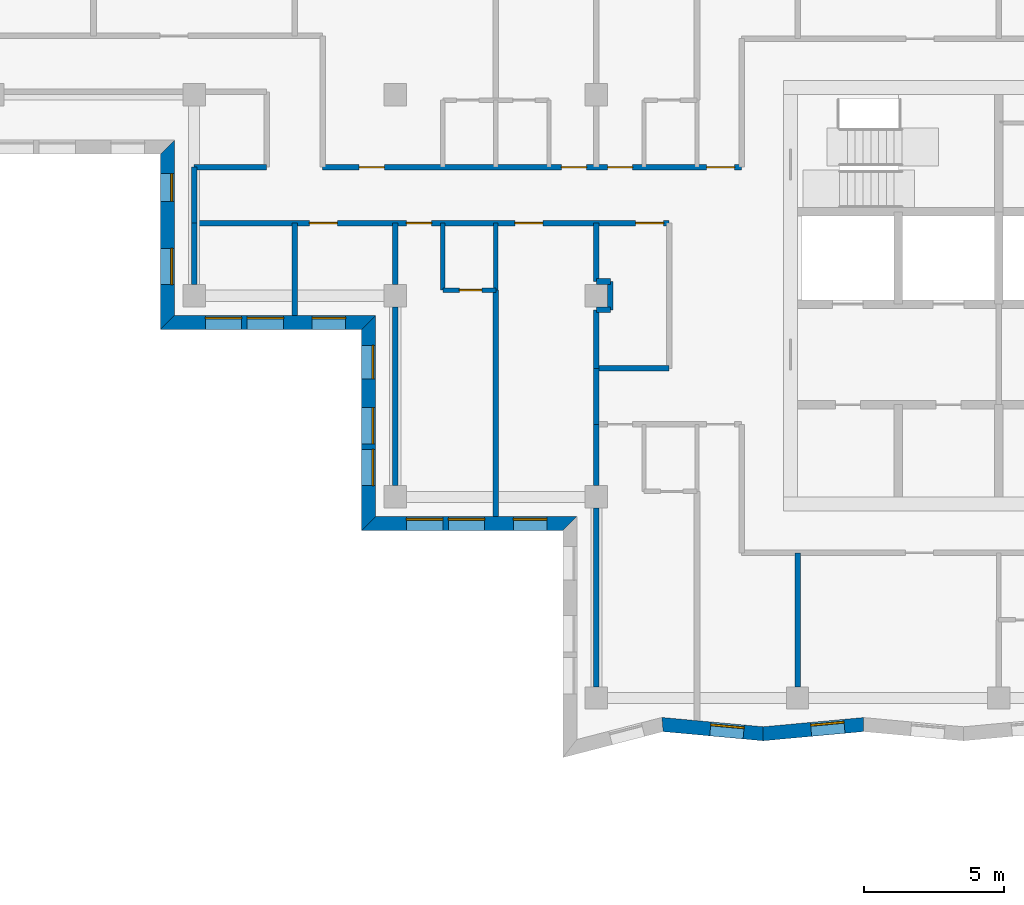
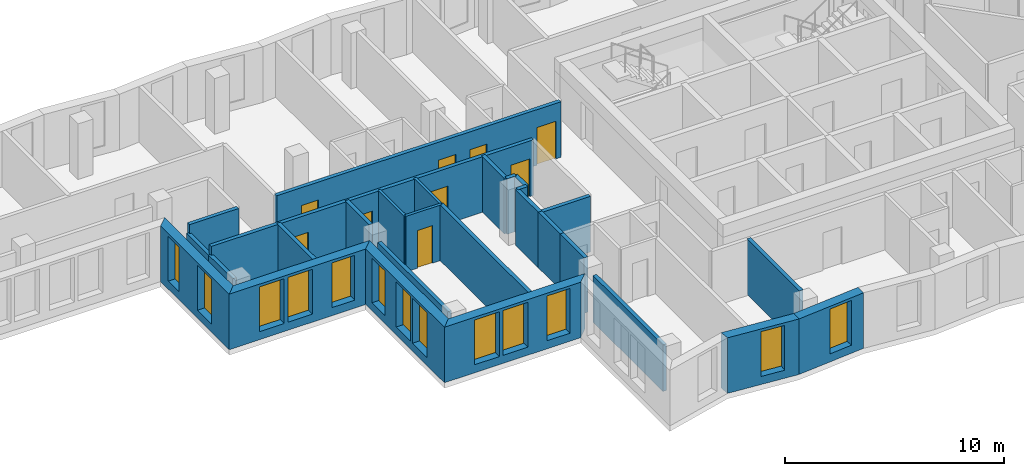
# One storey, part 2 of 11: 28 walls, 13 windows, 9 doors, 22 openings.
"""IFC4 building model written with IfcOpenShell, lengths in metres."""

import ifcopenshell
import ifcopenshell.guid

model = None  # the IFC model being written
_history = None  # IfcOwnerHistory: only IFC2X3 demands one
_inside = {}  # id of a spatial element -> (the spatial element, [elements in it])
_under = {}  # id of a project, library or spatial element -> (it, [spatial elements below it])
_declared = {}  # id of a project -> (the project, [libraries it declares])
_typed = {}  # id of a type object -> (the type object, [elements of that type])
_made_of = {}  # id of a material, layer set ... -> (it, [elements and type objects made of it])


def new_model(schema):
    """Start an empty IFC model of exactly this schema.

    Asked for "IFC4X3", IfcOpenShell would pick the latest addendum, in which some entities
    have other attributes; the version numbers below select the first issue.
    IFC2X3 requires an IfcOwnerHistory on every rooted entity: one is made here for all.
    """
    global model, _history
    if schema == "IFC4X3":
        model = ifcopenshell.file(schema_version=(4, 3, 0, 0))
    else:
        model = ifcopenshell.file(schema=schema)
    _inside.clear()
    _under.clear()
    _declared.clear()
    _typed.clear()
    _made_of.clear()
    _history = None
    if model.schema == "IFC2X3":
        org = make("IfcOrganization", Name="unknown")
        user = make(
            "IfcPersonAndOrganization",
            ThePerson=make("IfcPerson", FamilyName="unknown"),
            TheOrganization=org,
        )
        app = make(
            "IfcApplication",
            ApplicationDeveloper=org,
            Version="unknown",
            ApplicationFullName="unknown",
            ApplicationIdentifier="unknown",
        )
        _history = make(
            "IfcOwnerHistory",
            OwningUser=user,
            OwningApplication=app,
            ChangeAction="ADDED",
            CreationDate=0,
        )
    return model


def make(cls, **values):
    """One entity of the class cls with the attributes given. An attribute that is None is left unset."""
    return model.create_entity(
        cls, **{name: value for name, value in values.items() if value is not None}
    )


def rooted(cls, **values):
    """An entity with a GlobalId (a new one), such as an element, a storey or a relation."""
    return make(cls, GlobalId=ifcopenshell.guid.new(), OwnerHistory=_history, **values)


def si_unit(unit_type, name, prefix=None):
    """IfcSIUnit, for example si_unit("LENGTHUNIT", "METRE", prefix="MILLI")."""
    return make("IfcSIUnit", UnitType=unit_type, Prefix=prefix, Name=name)


def assignment(units):
    """IfcUnitAssignment: the units of a project."""
    return None if units is None else make("IfcUnitAssignment", Units=units)


def point(xyz):
    """IfcCartesianPoint."""
    return None if xyz is None else make("IfcCartesianPoint", Coordinates=xyz)


def direction(xyz):
    """IfcDirection."""
    return None if xyz is None else make("IfcDirection", DirectionRatios=xyz)


def frame(location, z_axis=None, x_axis=None):
    """IfcAxis2Placement3D, a coordinate frame: its origin and axes. An axis left out is left unset."""
    return make(
        "IfcAxis2Placement3D",
        Location=point(location),
        Axis=direction(z_axis),
        RefDirection=direction(x_axis),
    )


def frame_2d(location, x_axis=None):
    """IfcAxis2Placement2D, a coordinate frame in the plane: its origin and x axis."""
    return make(
        "IfcAxis2Placement2D", Location=point(location), RefDirection=direction(x_axis)
    )


def origin():
    """The frame at (0, 0, 0) with its axes left unset."""
    return frame((0.0, 0.0, 0.0))


def place(relative_to, where):
    """IfcLocalPlacement: puts the frame where relative to a parent placement (None: the world)."""
    return make(
        "IfcLocalPlacement", PlacementRelTo=relative_to, RelativePlacement=where
    )


def context(
    kind, dimensions, precision=None, world=None, true_north=None, identifier=None
):
    """IfcGeometricRepresentationContext, for example the 3D "Model" context."""
    return make(
        "IfcGeometricRepresentationContext",
        ContextIdentifier=identifier,
        ContextType=kind,
        CoordinateSpaceDimension=dimensions,
        Precision=precision,
        WorldCoordinateSystem=world,
        TrueNorth=true_north,
    )


def subcontext(parent, identifier, kind, view, scale=None):
    """IfcGeometricRepresentationSubContext, for example "Body" below "Model"."""
    return make(
        "IfcGeometricRepresentationSubContext",
        ContextIdentifier=identifier,
        ContextType=kind,
        ParentContext=parent,
        TargetScale=scale,
        TargetView=view,
    )


def project(units=None, contexts=None):
    """IfcProject with its units and contexts."""
    return rooted(
        "IfcProject",
        Name="project",
        RepresentationContexts=contexts,
        UnitsInContext=assignment(units),
    )


def spatial(cls, under=None, at=None, **own):
    """A site, building, storey or space (cls), placed at a placement, below another one or the project."""
    s = rooted(cls, ObjectPlacement=at, **own)
    if under is not None:
        _under.setdefault(under.id(), (under, []))[1].append(s)
    return s


def polyline(points):
    """IfcPolyline through the points."""
    return make("IfcPolyline", Points=[point(p) for p in points])


def profile(cls, at=None, kind="AREA", **sizes):
    """A parametric profile (cls). Its sizes go by their IFC names, for example OverallWidth=200.0."""
    return make(cls, ProfileType=kind, Position=at, **sizes)


def rectangle(**sizes):
    """IfcRectangleProfileDef."""
    return profile("IfcRectangleProfileDef", **sizes)


def outline(outer, holes=None, kind="AREA"):
    """IfcArbitraryClosedProfileDef: a profile drawn as a closed curve; with holes, ...WithVoids."""
    if holes is None:
        return make("IfcArbitraryClosedProfileDef", ProfileType=kind, OuterCurve=outer)
    return make(
        "IfcArbitraryProfileDefWithVoids",
        ProfileType=kind,
        OuterCurve=outer,
        InnerCurves=holes,
    )


def extrude(swept, where, along, depth):
    """IfcExtrudedAreaSolid: the profile swept, set in the frame where, extruded along a direction by depth."""
    return make(
        "IfcExtrudedAreaSolid",
        SweptArea=swept,
        Position=where,
        ExtrudedDirection=direction(along),
        Depth=depth,
    )


def shape(context_of_items, identifier, shape_type, items):
    """IfcShapeRepresentation: the items that make up one representation, for example the "Body"."""
    return make(
        "IfcShapeRepresentation",
        ContextOfItems=context_of_items,
        RepresentationIdentifier=identifier,
        RepresentationType=shape_type,
        Items=items,
    )


def material(Name=None, Category=None):
    """IfcMaterial."""
    return make("IfcMaterial", Name=Name, Category=Category)


def layer(
    of_material, thickness, ventilated=None, Name=None, Category=None, Priority=None
):
    """IfcMaterialLayer: one layer of a wall or slab, of a material (None: an air gap)."""
    return make(
        "IfcMaterialLayer",
        Material=of_material,
        LayerThickness=thickness,
        IsVentilated=ventilated,
        Name=Name,
        Category=Category,
        Priority=Priority,
    )


def layer_set(layers, Name=None):
    """IfcMaterialLayerSet."""
    return make("IfcMaterialLayerSet", MaterialLayers=layers, LayerSetName=Name)


def made_of(thing, what):
    """Note that an element or type object is made of a material, layer set ...; save() writes the relation."""
    if what is not None:
        _made_of.setdefault(what.id(), (what, []))[1].append(thing)
    return thing


def type_object(cls, material=None, **own):
    """A type object (cls), such as IfcWallType, which elements share."""
    return made_of(rooted(cls, **own), material)


def element(
    cls,
    number,
    at=None,
    inside=None,
    cuts=None,
    type_object=None,
    material=None,
    context=None,
    identifier="Body",
    shape_type=None,
    held_by="IfcProductDefinitionShape",
    body=None,
    shapes=None,
    **own,
):
    """One element of the class cls, such as IfcWall. Its Tag is "e" and its number.

    at: its placement. inside: the storey or other place that contains it. cuts: it is an
    opening in that element (IfcRelVoidsElement). A single representation is given by context,
    identifier, shape_type and body (its items); several are given by shapes. held_by: the class
    of the entity that holds the representations. save() writes the other relations.
    """
    e = rooted(cls, Tag="e%d" % number, ObjectPlacement=at, **own)
    if body is not None:
        shapes = [shape(context, identifier, shape_type, body)]
    if shapes is not None:
        e.Representation = make(held_by, Representations=shapes)
    if inside is not None:
        _inside.setdefault(inside.id(), (inside, []))[1].append(e)
    if cuts is not None:
        rooted(
            "IfcRelVoidsElement", RelatingBuildingElement=cuts, RelatedOpeningElement=e
        )
    if type_object is not None:
        _typed.setdefault(type_object.id(), (type_object, []))[1].append(e)
    return made_of(e, material)


def fill(opening, filler):
    """IfcRelFillsElement: the door or window that sits in an opening."""
    return rooted(
        "IfcRelFillsElement",
        RelatingOpeningElement=opening,
        RelatedBuildingElement=filler,
    )


def aggregate(whole, parts):
    """IfcRelAggregates: a whole, such as a stair, and the parts it consists of."""
    return rooted("IfcRelAggregates", RelatingObject=whole, RelatedObjects=parts)


def save(model, path):
    """Write the relations noted so far, then the file.

    IfcRelAggregates (storeys below a building ...), IfcRelContainedInSpatialStructure (elements
    in a storey), IfcRelDefinesByType, IfcRelAssociatesMaterial and IfcRelDeclares: one each for
    every whole, place, type object, material and project.
    """
    for whole, parts in _under.values():
        aggregate(whole, parts)
    for where, things in _inside.values():
        rooted(
            "IfcRelContainedInSpatialStructure",
            RelatedElements=things,
            RelatingStructure=where,
        )
    for kind, things in _typed.values():
        rooted("IfcRelDefinesByType", RelatedObjects=things, RelatingType=kind)
    for what, things in _made_of.values():
        rooted("IfcRelAssociatesMaterial", RelatedObjects=things, RelatingMaterial=what)
    for by, libraries in _declared.values():
        rooted("IfcRelDeclares", RelatingContext=by, RelatedDefinitions=libraries)
    model.write(path)


model = new_model("IFC4")

# Units and contexts
model_context = context("Model", 3, precision=1e-05, world=origin(), true_north=direction((0.0, 1.0)))
body_context = subcontext(model_context, "Body", "Model", "MODEL_VIEW")
ifc_project = project(units=[si_unit("LENGTHUNIT", "METRE"), si_unit("AREAUNIT", "SQUARE_METRE"), si_unit("VOLUMEUNIT", "CUBIC_METRE"), si_unit("PLANEANGLEUNIT", "RADIAN"), si_unit("MASSUNIT", "GRAM", prefix="KILO")], contexts=[model_context])

# Site, building, storey
site_placement = place(None, origin())
site = spatial("IfcSite", under=ifc_project, at=site_placement, CompositionType="ELEMENT")
building_placement = place(site_placement, origin())
building = spatial("IfcBuilding", under=site, at=building_placement, Name="Windrow Commons", CompositionType="ELEMENT")
storey_placement = place(building_placement, frame((0.0, 0.0, 193.0)))
storey = spatial("IfcBuildingStorey", under=building, at=storey_placement, Name="L52", CompositionType="ELEMENT", Elevation=193.0)

# Wall, openings, windows
ifc_material_1 = material(Name="Brick masonry, red clay brick", Category="masonry")
ifc_layer_1 = layer(ifc_material_1, 0.5)
ifc_layer_set_1 = layer_set([ifc_layer_1], Name="Brick facade wall 500")
wall_type_1 = type_object("IfcWallType", Name="Brick facade wall 500", PredefinedType="SOLIDWALL", material=ifc_layer_set_1)
wall_1_placement = place(storey_placement, frame((35.05, 62.92, 0.0), z_axis=(0.0, 0.0, 1.0), x_axis=(0.0, -1.0, 0.0)))
wall_1 = element("IfcWall", 1, at=wall_1_placement, inside=storey, type_object=wall_type_1, Name="Brick facade wall L52 35", PredefinedType="SOLIDWALL", context=body_context, shape_type="SweptSolid", body=[
    extrude(outline(polyline([(0.25, -0.25), (6.52, -0.25), (6.02, 0.25), (-0.25, 0.25), (0.25, -0.25)])), origin(), (0.0, 0.0, 1.0), 3.1),
])
opening_1_placement = place(wall_1_placement, frame((3.62, 0.0, 0.45)))
opening_1 = element("IfcOpeningElement", 2, at=opening_1_placement, cuts=wall_1, Name="Opening W1Q", PredefinedType="OPENING", context=body_context, shape_type="SweptSolid", body=[
    extrude(rectangle(XDim=1.3, YDim=2.5, at=frame_2d((0.65, 1.25))), frame((0.0, 0.26, 0.0), z_axis=(0.0, -1.0, 0.0), x_axis=(1.0, 0.0, 0.0)), (0.0, 0.0, 1.0), 0.52),
])
opening_2_placement = place(wall_1_placement, frame((0.945, 0.0, 0.45)))
opening_2 = element("IfcOpeningElement", 3, at=opening_2_placement, cuts=wall_1, Name="Opening W1S", PredefinedType="OPENING", context=body_context, shape_type="SweptSolid", body=[
    extrude(rectangle(XDim=1.0, YDim=2.5, at=frame_2d((0.5, 1.25))), frame((0.0, 0.26, 0.0), z_axis=(0.0, -1.0, 0.0), x_axis=(1.0, 0.0, 0.0)), (0.0, 0.0, 1.0), 0.52),
])
ifc_material_2 = material(Name="Clear float glass in anodised aluminium frame", Category="aluminium")
window_type_1 = type_object("IfcWindowType", Name="Window W1Q pair 1300x2500", PartitioningType="SINGLE_PANEL", PredefinedType="WINDOW", material=ifc_material_2)
window_1_placement = place(opening_1_placement, origin())
window_1 = element("IfcWindow", 4, at=window_1_placement, inside=storey, type_object=window_type_1, Name="Window L52 35.1B", OverallHeight=2.5, OverallWidth=1.3, PartitioningType="SINGLE_PANEL", PredefinedType="WINDOW", context=body_context, shape_type="SweptSolid", body=[
    extrude(rectangle(XDim=1.3, YDim=2.5, at=frame_2d((0.65, 1.25))), frame((0.0, 0.18, 0.0), z_axis=(0.0, -1.0, 0.0), x_axis=(1.0, 0.0, 0.0)), (0.0, 0.0, 1.0), 0.06),
])
fill(opening_1, window_1)
ifc_material_3 = material(Name="Clear float glass in anodised aluminium frame", Category="aluminium")
window_type_2 = type_object("IfcWindowType", Name="Window W1S slit 1000x2500", PartitioningType="SINGLE_PANEL", PredefinedType="WINDOW", material=ifc_material_3)
window_2_placement = place(opening_2_placement, origin())
window_2 = element("IfcWindow", 5, at=window_2_placement, inside=storey, type_object=window_type_2, Name="Window L52 35.2A", OverallHeight=2.5, OverallWidth=1.0, PartitioningType="SINGLE_PANEL", PredefinedType="WINDOW", context=body_context, shape_type="SweptSolid", body=[
    extrude(rectangle(XDim=1.0, YDim=2.5, at=frame_2d((0.5, 1.25))), frame((0.0, 0.18, 0.0), z_axis=(0.0, -1.0, 0.0), x_axis=(1.0, 0.0, 0.0)), (0.0, 0.0, 1.0), 0.06),
])
fill(opening_2, window_2)

wall_2_placement = place(storey_placement, frame((35.05, 56.65, 0.0), z_axis=(0.0, 0.0, 1.0), x_axis=(1.0, 0.0, 0.0)))
wall_2 = element("IfcWall", 6, at=wall_2_placement, inside=storey, type_object=wall_type_1, Name="Brick facade wall L52 36", PredefinedType="SOLIDWALL", context=body_context, shape_type="SweptSolid", body=[
    extrude(outline(polyline([(-0.25, -0.25), (6.95, -0.25), (7.45, 0.25), (0.25, 0.25), (-0.25, -0.25)])), origin(), (0.0, 0.0, 1.0), 3.1),
])
opening_3_placement = place(wall_2_placement, frame((1.35, 0.0, 0.45)))
opening_3 = element("IfcOpeningElement", 7, at=opening_3_placement, cuts=wall_2, Name="Opening W1Q", PredefinedType="OPENING", context=body_context, shape_type="SweptSolid", body=[
    extrude(rectangle(XDim=1.3, YDim=2.5, at=frame_2d((0.65, 1.25))), frame((0.0, 0.26, 0.0), z_axis=(0.0, -1.0, 0.0), x_axis=(1.0, 0.0, 0.0)), (0.0, 0.0, 1.0), 0.52),
])
opening_4_placement = place(wall_2_placement, frame((2.85, 0.0, 0.45)))
opening_4 = element("IfcOpeningElement", 8, at=opening_4_placement, cuts=wall_2, Name="Opening W1Q", PredefinedType="OPENING", context=body_context, shape_type="SweptSolid", body=[
    extrude(rectangle(XDim=1.3, YDim=2.5, at=frame_2d((0.65, 1.25))), frame((0.0, 0.26, 0.0), z_axis=(0.0, -1.0, 0.0), x_axis=(1.0, 0.0, 0.0)), (0.0, 0.0, 1.0), 0.52),
])
opening_5_placement = place(wall_2_placement, frame((5.175, 0.0, 0.45)))
opening_5 = element("IfcOpeningElement", 9, at=opening_5_placement, cuts=wall_2, Name="Opening W7E", PredefinedType="OPENING", context=body_context, shape_type="SweptSolid", body=[
    extrude(rectangle(XDim=1.2, YDim=2.5, at=frame_2d((0.6, 1.25))), frame((0.0, 0.26, 0.0), z_axis=(0.0, -1.0, 0.0), x_axis=(1.0, 0.0, 0.0)), (0.0, 0.0, 1.0), 0.52),
])
window_3_placement = place(opening_3_placement, origin())
window_3 = element("IfcWindow", 10, at=window_3_placement, inside=storey, type_object=window_type_1, Name="Window L52 36.1A", OverallHeight=2.5, OverallWidth=1.3, PartitioningType="SINGLE_PANEL", PredefinedType="WINDOW", context=body_context, shape_type="SweptSolid", body=[
    extrude(rectangle(XDim=1.3, YDim=2.5, at=frame_2d((0.65, 1.25))), frame((0.0, 0.18, 0.0), z_axis=(0.0, -1.0, 0.0), x_axis=(1.0, 0.0, 0.0)), (0.0, 0.0, 1.0), 0.06),
])
fill(opening_3, window_3)
window_4_placement = place(opening_4_placement, origin())
window_4 = element("IfcWindow", 11, at=window_4_placement, inside=storey, type_object=window_type_1, Name="Window L52 36.1B", OverallHeight=2.5, OverallWidth=1.3, PartitioningType="SINGLE_PANEL", PredefinedType="WINDOW", context=body_context, shape_type="SweptSolid", body=[
    extrude(rectangle(XDim=1.3, YDim=2.5, at=frame_2d((0.65, 1.25))), frame((0.0, 0.18, 0.0), z_axis=(0.0, -1.0, 0.0), x_axis=(1.0, 0.0, 0.0)), (0.0, 0.0, 1.0), 0.06),
])
fill(opening_4, window_4)
ifc_material_4 = material(Name="Clear float glass in anodised aluminium frame", Category="aluminium")
window_type_3 = type_object("IfcWindowType", Name="Window W7 notch 1200x2500", PartitioningType="SINGLE_PANEL", PredefinedType="WINDOW", material=ifc_material_4)
window_5_placement = place(opening_5_placement, origin())
window_5 = element("IfcWindow", 12, at=window_5_placement, inside=storey, type_object=window_type_3, Name="Window L52 36.2", OverallHeight=2.5, OverallWidth=1.2, PartitioningType="SINGLE_PANEL", PredefinedType="WINDOW", context=body_context, shape_type="SweptSolid", body=[
    extrude(rectangle(XDim=1.2, YDim=2.5, at=frame_2d((0.6, 1.25))), frame((0.0, 0.18, 0.0), z_axis=(0.0, -1.0, 0.0), x_axis=(1.0, 0.0, 0.0)), (0.0, 0.0, 1.0), 0.06),
])
fill(opening_5, window_5)

wall_3_placement = place(storey_placement, frame((42.25, 56.65, 0.0), z_axis=(0.0, 0.0, 1.0), x_axis=(0.0, -1.0, 0.0)))
wall_3 = element("IfcWall", 13, at=wall_3_placement, inside=storey, type_object=wall_type_1, Name="Brick facade wall L52 37", PredefinedType="SOLIDWALL", context=body_context, shape_type="SweptSolid", body=[
    extrude(outline(polyline([(0.25, -0.25), (7.45, -0.25), (6.95, 0.25), (-0.25, 0.25), (0.25, -0.25)])), origin(), (0.0, 0.0, 1.0), 3.1),
])
opening_6_placement = place(wall_3_placement, frame((3.05, 0.0, 0.45)))
opening_6 = element("IfcOpeningElement", 14, at=opening_6_placement, cuts=wall_3, Name="Opening W1Q", PredefinedType="OPENING", context=body_context, shape_type="SweptSolid", body=[
    extrude(rectangle(XDim=1.3, YDim=2.5, at=frame_2d((0.65, 1.25))), frame((0.0, 0.26, 0.0), z_axis=(0.0, -1.0, 0.0), x_axis=(1.0, 0.0, 0.0)), (0.0, 0.0, 1.0), 0.52),
])
opening_7_placement = place(wall_3_placement, frame((4.55, 0.0, 0.45)))
opening_7 = element("IfcOpeningElement", 15, at=opening_7_placement, cuts=wall_3, Name="Opening W1Q", PredefinedType="OPENING", context=body_context, shape_type="SweptSolid", body=[
    extrude(rectangle(XDim=1.3, YDim=2.5, at=frame_2d((0.65, 1.25))), frame((0.0, 0.26, 0.0), z_axis=(0.0, -1.0, 0.0), x_axis=(1.0, 0.0, 0.0)), (0.0, 0.0, 1.0), 0.52),
])
opening_8_placement = place(wall_3_placement, frame((0.825, 0.0, 0.45)))
opening_8 = element("IfcOpeningElement", 16, at=opening_8_placement, cuts=wall_3, Name="Opening W7E", PredefinedType="OPENING", context=body_context, shape_type="SweptSolid", body=[
    extrude(rectangle(XDim=1.2, YDim=2.5, at=frame_2d((0.6, 1.25))), frame((0.0, 0.26, 0.0), z_axis=(0.0, -1.0, 0.0), x_axis=(1.0, 0.0, 0.0)), (0.0, 0.0, 1.0), 0.52),
])
window_6_placement = place(opening_6_placement, origin())
window_6 = element("IfcWindow", 17, at=window_6_placement, inside=storey, type_object=window_type_1, Name="Window L52 37.1A", OverallHeight=2.5, OverallWidth=1.3, PartitioningType="SINGLE_PANEL", PredefinedType="WINDOW", context=body_context, shape_type="SweptSolid", body=[
    extrude(rectangle(XDim=1.3, YDim=2.5, at=frame_2d((0.65, 1.25))), frame((0.0, 0.18, 0.0), z_axis=(0.0, -1.0, 0.0), x_axis=(1.0, 0.0, 0.0)), (0.0, 0.0, 1.0), 0.06),
])
fill(opening_6, window_6)
window_7_placement = place(opening_7_placement, origin())
window_7 = element("IfcWindow", 18, at=window_7_placement, inside=storey, type_object=window_type_1, Name="Window L52 37.1B", OverallHeight=2.5, OverallWidth=1.3, PartitioningType="SINGLE_PANEL", PredefinedType="WINDOW", context=body_context, shape_type="SweptSolid", body=[
    extrude(rectangle(XDim=1.3, YDim=2.5, at=frame_2d((0.65, 1.25))), frame((0.0, 0.18, 0.0), z_axis=(0.0, -1.0, 0.0), x_axis=(1.0, 0.0, 0.0)), (0.0, 0.0, 1.0), 0.06),
])
fill(opening_7, window_7)
window_8_placement = place(opening_8_placement, origin())
window_8 = element("IfcWindow", 19, at=window_8_placement, inside=storey, type_object=window_type_3, Name="Window L52 37.2", OverallHeight=2.5, OverallWidth=1.2, PartitioningType="SINGLE_PANEL", PredefinedType="WINDOW", context=body_context, shape_type="SweptSolid", body=[
    extrude(rectangle(XDim=1.2, YDim=2.5, at=frame_2d((0.6, 1.25))), frame((0.0, 0.18, 0.0), z_axis=(0.0, -1.0, 0.0), x_axis=(1.0, 0.0, 0.0)), (0.0, 0.0, 1.0), 0.06),
])
fill(opening_8, window_8)

wall_4_placement = place(storey_placement, frame((42.25, 49.45, 0.0), z_axis=(0.0, 0.0, 1.0), x_axis=(1.0, 0.0, 0.0)))
wall_4 = element("IfcWall", 20, at=wall_4_placement, inside=storey, type_object=wall_type_1, Name="Brick facade wall L52 38", PredefinedType="SOLIDWALL", context=body_context, shape_type="SweptSolid", body=[
    extrude(outline(polyline([(-0.25, -0.25), (6.95, -0.25), (7.45, 0.25), (0.25, 0.25), (-0.25, -0.25)])), origin(), (0.0, 0.0, 1.0), 3.1),
])
opening_9_placement = place(wall_4_placement, frame((1.35, 0.0, 0.45)))
opening_9 = element("IfcOpeningElement", 21, at=opening_9_placement, cuts=wall_4, Name="Opening W1Q", PredefinedType="OPENING", context=body_context, shape_type="SweptSolid", body=[
    extrude(rectangle(XDim=1.3, YDim=2.5, at=frame_2d((0.65, 1.25))), frame((0.0, 0.26, 0.0), z_axis=(0.0, -1.0, 0.0), x_axis=(1.0, 0.0, 0.0)), (0.0, 0.0, 1.0), 0.52),
])
opening_10_placement = place(wall_4_placement, frame((2.85, 0.0, 0.45)))
opening_10 = element("IfcOpeningElement", 22, at=opening_10_placement, cuts=wall_4, Name="Opening W1Q", PredefinedType="OPENING", context=body_context, shape_type="SweptSolid", body=[
    extrude(rectangle(XDim=1.3, YDim=2.5, at=frame_2d((0.65, 1.25))), frame((0.0, 0.26, 0.0), z_axis=(0.0, -1.0, 0.0), x_axis=(1.0, 0.0, 0.0)), (0.0, 0.0, 1.0), 0.52),
])
opening_11_placement = place(wall_4_placement, frame((5.175, 0.0, 0.45)))
opening_11 = element("IfcOpeningElement", 23, at=opening_11_placement, cuts=wall_4, Name="Opening W7E", PredefinedType="OPENING", context=body_context, shape_type="SweptSolid", body=[
    extrude(rectangle(XDim=1.2, YDim=2.5, at=frame_2d((0.6, 1.25))), frame((0.0, 0.26, 0.0), z_axis=(0.0, -1.0, 0.0), x_axis=(1.0, 0.0, 0.0)), (0.0, 0.0, 1.0), 0.52),
])
window_9_placement = place(opening_9_placement, origin())
window_9 = element("IfcWindow", 24, at=window_9_placement, inside=storey, type_object=window_type_1, Name="Window L52 38.1A", OverallHeight=2.5, OverallWidth=1.3, PartitioningType="SINGLE_PANEL", PredefinedType="WINDOW", context=body_context, shape_type="SweptSolid", body=[
    extrude(rectangle(XDim=1.3, YDim=2.5, at=frame_2d((0.65, 1.25))), frame((0.0, 0.18, 0.0), z_axis=(0.0, -1.0, 0.0), x_axis=(1.0, 0.0, 0.0)), (0.0, 0.0, 1.0), 0.06),
])
fill(opening_9, window_9)
window_10_placement = place(opening_10_placement, origin())
window_10 = element("IfcWindow", 25, at=window_10_placement, inside=storey, type_object=window_type_1, Name="Window L52 38.1B", OverallHeight=2.5, OverallWidth=1.3, PartitioningType="SINGLE_PANEL", PredefinedType="WINDOW", context=body_context, shape_type="SweptSolid", body=[
    extrude(rectangle(XDim=1.3, YDim=2.5, at=frame_2d((0.65, 1.25))), frame((0.0, 0.18, 0.0), z_axis=(0.0, -1.0, 0.0), x_axis=(1.0, 0.0, 0.0)), (0.0, 0.0, 1.0), 0.06),
])
fill(opening_10, window_10)
window_11_placement = place(opening_11_placement, origin())
window_11 = element("IfcWindow", 26, at=window_11_placement, inside=storey, type_object=window_type_3, Name="Window L52 38.2", OverallHeight=2.5, OverallWidth=1.2, PartitioningType="SINGLE_PANEL", PredefinedType="WINDOW", context=body_context, shape_type="SweptSolid", body=[
    extrude(rectangle(XDim=1.2, YDim=2.5, at=frame_2d((0.6, 1.25))), frame((0.0, 0.18, 0.0), z_axis=(0.0, -1.0, 0.0), x_axis=(1.0, 0.0, 0.0)), (0.0, 0.0, 1.0), 0.06),
])
fill(opening_11, window_11)

# Wall, opening, window
wall_5_placement = place(storey_placement, frame((52.7652, 42.2529, 0.0), z_axis=(0.0, 0.0, 1.0), x_axis=(0.9957941627, -0.0916186959, 0.0)))
wall_5 = element("IfcWall", 27, at=wall_5_placement, inside=storey, type_object=wall_type_1, Name="Brick facade wall L52 41", PredefinedType="SOLIDWALL", context=body_context, shape_type="SweptSolid", body=[
    extrude(outline(polyline([(0.0436, -0.25), (3.6445, -0.25), (3.5985, 0.25), (-0.0436, 0.25), (0.0436, -0.25)])), origin(), (0.0, 0.0, 1.0), 3.1),
])
opening_12_placement = place(wall_5_placement, frame((1.7193, 0.0, 0.45)))
opening_12 = element("IfcOpeningElement", 28, at=opening_12_placement, cuts=wall_5, Name="Opening W7E", PredefinedType="OPENING", context=body_context, shape_type="SweptSolid", body=[
    extrude(rectangle(XDim=1.2, YDim=2.5, at=frame_2d((0.6, 1.25))), frame((0.0, 0.26, 0.0), z_axis=(0.0, -1.0, 0.0), x_axis=(1.0, 0.0, 0.0)), (0.0, 0.0, 1.0), 0.52),
])
window_12_placement = place(opening_12_placement, origin())
window_12 = element("IfcWindow", 29, at=window_12_placement, inside=storey, type_object=window_type_3, Name="Window L52 41.1", OverallHeight=2.5, OverallWidth=1.2, PartitioningType="SINGLE_PANEL", PredefinedType="WINDOW", context=body_context, shape_type="SweptSolid", body=[
    extrude(rectangle(XDim=1.2, YDim=2.5, at=frame_2d((0.6, 1.25))), frame((0.0, 0.18, 0.0), z_axis=(0.0, -1.0, 0.0), x_axis=(1.0, 0.0, 0.0)), (0.0, 0.0, 1.0), 0.06),
])
fill(opening_12, window_12)

wall_6_placement = place(storey_placement, frame((56.3715, 41.9211, 0.0), z_axis=(0.0, 0.0, 1.0), x_axis=(0.9957917474, 0.0916449443, 0.0)))
wall_6 = element("IfcWall", 30, at=wall_6_placement, inside=storey, type_object=wall_type_1, Name="Brick facade wall L52 42", PredefinedType="SOLIDWALL", context=body_context, shape_type="SweptSolid", body=[
    extrude(outline(polyline([(-0.023, -0.25), (3.5779, -0.25), (3.6239, 0.25), (0.023, 0.25), (-0.023, -0.25)])), origin(), (0.0, 0.0, 1.0), 3.1),
])
opening_13_placement = place(wall_6_placement, frame((1.7173, 0.0, 0.45)))
opening_13 = element("IfcOpeningElement", 31, at=opening_13_placement, cuts=wall_6, Name="Opening W7E", PredefinedType="OPENING", context=body_context, shape_type="SweptSolid", body=[
    extrude(rectangle(XDim=1.2, YDim=2.5, at=frame_2d((0.6, 1.25))), frame((0.0, 0.26, 0.0), z_axis=(0.0, -1.0, 0.0), x_axis=(1.0, 0.0, 0.0)), (0.0, 0.0, 1.0), 0.52),
])
window_13_placement = place(opening_13_placement, origin())
window_13 = element("IfcWindow", 32, at=window_13_placement, inside=storey, type_object=window_type_3, Name="Window L52 42.1", OverallHeight=2.5, OverallWidth=1.2, PartitioningType="SINGLE_PANEL", PredefinedType="WINDOW", context=body_context, shape_type="SweptSolid", body=[
    extrude(rectangle(XDim=1.2, YDim=2.5, at=frame_2d((0.6, 1.25))), frame((0.0, 0.18, 0.0), z_axis=(0.0, -1.0, 0.0), x_axis=(1.0, 0.0, 0.0)), (0.0, 0.0, 1.0), 0.06),
])
fill(opening_13, window_13)

# Wall, openings, doors
ifc_material_5 = material(Name="Blockwork partition", Category="masonry")
ifc_layer_2 = layer(ifc_material_5, 0.2)
ifc_layer_set_2 = layer_set([ifc_layer_2], Name="IW-CORRIDOR-200")
wall_type_2 = type_object("IfcWallType", Name="IW-CORRIDOR-200", PredefinedType="PARTITIONING", material=ifc_layer_set_2)
wall_7_placement = place(storey_placement, frame((36.0, 60.2, 0.0), z_axis=(0.0, 0.0, 1.0), x_axis=(1.0, 0.0, 0.0)))
wall_7 = element("IfcWall", 33, at=wall_7_placement, inside=storey, type_object=wall_type_2, Name="W-L52-W003", PredefinedType="PARTITIONING", context=body_context, shape_type="SweptSolid", body=[
    extrude(rectangle(XDim=17.0, YDim=0.2, at=frame_2d((8.5, 0.0))), origin(), (0.0, 0.0, 1.0), 3.1),
])
opening_14_placement = place(wall_7_placement, frame((4.125, 0.0, 0.0)))
opening_14 = element("IfcOpeningElement", 34, at=opening_14_placement, cuts=wall_7, Name="Opening D310F", PredefinedType="OPENING", context=body_context, shape_type="SweptSolid", body=[
    extrude(rectangle(XDim=1.0, YDim=2.1, at=frame_2d((0.5, 1.05))), frame((0.0, 0.11, 0.0), z_axis=(0.0, -1.0, 0.0), x_axis=(1.0, 0.0, 0.0)), (0.0, 0.0, 1.0), 0.22),
])
opening_15_placement = place(wall_7_placement, frame((7.6, 0.0, 0.0)))
opening_15 = element("IfcOpeningElement", 35, at=opening_15_placement, cuts=wall_7, Name="Opening D109S", PredefinedType="OPENING", context=body_context, shape_type="SweptSolid", body=[
    extrude(rectangle(XDim=0.9, YDim=2.1, at=frame_2d((0.45, 1.05))), frame((0.0, 0.11, 0.0), z_axis=(0.0, -1.0, 0.0), x_axis=(1.0, 0.0, 0.0)), (0.0, 0.0, 1.0), 0.22),
])
opening_16_placement = place(wall_7_placement, frame((11.48, 0.0, 0.0)))
opening_16 = element("IfcOpeningElement", 36, at=opening_16_placement, cuts=wall_7, Name="Opening D310F", PredefinedType="OPENING", context=body_context, shape_type="SweptSolid", body=[
    extrude(rectangle(XDim=1.0, YDim=2.1, at=frame_2d((0.5, 1.05))), frame((0.0, 0.11, 0.0), z_axis=(0.0, -1.0, 0.0), x_axis=(1.0, 0.0, 0.0)), (0.0, 0.0, 1.0), 0.22),
])
opening_17_placement = place(wall_7_placement, frame((15.805, 0.0, 0.0)))
opening_17 = element("IfcOpeningElement", 37, at=opening_17_placement, cuts=wall_7, Name="Opening D410F", PredefinedType="OPENING", context=body_context, shape_type="SweptSolid", body=[
    extrude(rectangle(XDim=1.0, YDim=2.1, at=frame_2d((0.5, 1.05))), frame((0.0, 0.11, 0.0), z_axis=(0.0, -1.0, 0.0), x_axis=(1.0, 0.0, 0.0)), (0.0, 0.0, 1.0), 0.22),
])
ifc_material_6 = material(Name="Timber door leaf", Category="wood")
door_type_1 = type_object("IfcDoorType", Name="DT-AMENITY-1000", OperationType="SINGLE_SWING_LEFT", PredefinedType="DOOR", material=ifc_material_6)
door_1_placement = place(opening_14_placement, origin())
door_1 = element("IfcDoor", 38, at=door_1_placement, inside=storey, type_object=door_type_1, Name="D-L52-D007", OperationType="SINGLE_SWING_RIGHT", OverallHeight=2.1, OverallWidth=1.0, PredefinedType="DOOR", context=body_context, shape_type="SweptSolid", body=[
    extrude(rectangle(XDim=1.0, YDim=2.1, at=frame_2d((0.5, 1.05))), frame((0.0, 0.025, 0.0), z_axis=(0.0, -1.0, 0.0), x_axis=(1.0, 0.0, 0.0)), (0.0, 0.0, 1.0), 0.05),
])
fill(opening_14, door_1)
door_2_placement = place(opening_16_placement, origin())
door_2 = element("IfcDoor", 39, at=door_2_placement, inside=storey, type_object=door_type_1, Name="D-L52-D020", OperationType="SINGLE_SWING_RIGHT", OverallHeight=2.1, OverallWidth=1.0, PredefinedType="DOOR", context=body_context, shape_type="SweptSolid", body=[
    extrude(rectangle(XDim=1.0, YDim=2.1, at=frame_2d((0.5, 1.05))), frame((0.0, 0.025, 0.0), z_axis=(0.0, -1.0, 0.0), x_axis=(1.0, 0.0, 0.0)), (0.0, 0.0, 1.0), 0.05),
])
fill(opening_16, door_2)
ifc_material_7 = material(Name="Timber door leaf", Category="wood")
door_type_2 = type_object("IfcDoorType", Name="DT-BEDROOM-900", OperationType="SINGLE_SWING_LEFT", PredefinedType="DOOR", material=ifc_material_7)
door_3_placement = place(opening_15_placement, origin())
door_3 = element("IfcDoor", 40, at=door_3_placement, inside=storey, type_object=door_type_2, Name="D-L52-D008", OperationType="SINGLE_SWING_LEFT", OverallHeight=2.1, OverallWidth=0.9, PredefinedType="DOOR", context=body_context, shape_type="SweptSolid", body=[
    extrude(rectangle(XDim=0.9, YDim=2.1, at=frame_2d((0.45, 1.05))), frame((0.0, 0.025, 0.0), z_axis=(0.0, -1.0, 0.0), x_axis=(1.0, 0.0, 0.0)), (0.0, 0.0, 1.0), 0.05),
])
fill(opening_15, door_3)
ifc_material_8 = material(Name="Timber door leaf", Category="wood")
door_type_3 = type_object("IfcDoorType", Name="DT-SERVICE-1000", OperationType="SINGLE_SWING_LEFT", PredefinedType="DOOR", material=ifc_material_8)
door_4_placement = place(opening_17_placement, origin())
door_4 = element("IfcDoor", 41, at=door_4_placement, inside=storey, type_object=door_type_3, Name="D-L52-D021", OperationType="SINGLE_SWING_LEFT", OverallHeight=2.1, OverallWidth=1.0, PredefinedType="DOOR", context=body_context, shape_type="SweptSolid", body=[
    extrude(rectangle(XDim=1.0, YDim=2.1, at=frame_2d((0.5, 1.05))), frame((0.0, 0.025, 0.0), z_axis=(0.0, -1.0, 0.0), x_axis=(1.0, 0.0, 0.0)), (0.0, 0.0, 1.0), 0.05),
])
fill(opening_17, door_4)

wall_8_placement = place(storey_placement, frame((40.602, 62.2, 0.0), z_axis=(0.0, 0.0, 1.0), x_axis=(1.0, 0.0, 0.0)))
wall_8 = element("IfcWall", 42, at=wall_8_placement, inside=storey, type_object=wall_type_2, Name="W-L52-W004", PredefinedType="PARTITIONING", context=body_context, shape_type="SweptSolid", body=[
    extrude(rectangle(XDim=14.998, YDim=0.2, at=frame_2d((7.499, 0.0))), origin(), (0.0, 0.0, 1.0), 3.1),
])
opening_18_placement = place(wall_8_placement, frame((1.3056, 0.0, 0.0)))
opening_18 = element("IfcOpeningElement", 43, at=opening_18_placement, cuts=wall_8, Name="Opening D109F", PredefinedType="OPENING", context=body_context, shape_type="SweptSolid", body=[
    extrude(rectangle(XDim=0.9, YDim=2.1, at=frame_2d((0.45, 1.05))), frame((0.0, 0.11, 0.0), z_axis=(0.0, -1.0, 0.0), x_axis=(1.0, 0.0, 0.0)), (0.0, 0.0, 1.0), 0.22),
])
opening_19_placement = place(wall_8_placement, frame((8.548, 0.0, 0.0)))
opening_19 = element("IfcOpeningElement", 44, at=opening_19_placement, cuts=wall_8, Name="Opening D109S", PredefinedType="OPENING", context=body_context, shape_type="SweptSolid", body=[
    extrude(rectangle(XDim=0.9, YDim=2.1, at=frame_2d((0.45, 1.05))), frame((0.0, 0.11, 0.0), z_axis=(0.0, -1.0, 0.0), x_axis=(1.0, 0.0, 0.0)), (0.0, 0.0, 1.0), 0.22),
])
opening_20_placement = place(wall_8_placement, frame((10.198, 0.0, 0.0)))
opening_20 = element("IfcOpeningElement", 45, at=opening_20_placement, cuts=wall_8, Name="Opening D109S", PredefinedType="OPENING", context=body_context, shape_type="SweptSolid", body=[
    extrude(rectangle(XDim=0.9, YDim=2.1, at=frame_2d((0.45, 1.05))), frame((0.0, 0.11, 0.0), z_axis=(0.0, -1.0, 0.0), x_axis=(1.0, 0.0, 0.0)), (0.0, 0.0, 1.0), 0.22),
])
opening_21_placement = place(wall_8_placement, frame((13.7456, 0.0, 0.0)))
opening_21 = element("IfcOpeningElement", 46, at=opening_21_placement, cuts=wall_8, Name="Opening D310F", PredefinedType="OPENING", context=body_context, shape_type="SweptSolid", body=[
    extrude(rectangle(XDim=1.0, YDim=2.1, at=frame_2d((0.5, 1.05))), frame((0.0, 0.11, 0.0), z_axis=(0.0, -1.0, 0.0), x_axis=(1.0, 0.0, 0.0)), (0.0, 0.0, 1.0), 0.22),
])
door_5_placement = place(opening_21_placement, origin())
door_5 = element("IfcDoor", 47, at=door_5_placement, inside=storey, type_object=door_type_1, Name="D-L52-D016", OperationType="SINGLE_SWING_LEFT", OverallHeight=2.1, OverallWidth=1.0, PredefinedType="DOOR", context=body_context, shape_type="SweptSolid", body=[
    extrude(rectangle(XDim=1.0, YDim=2.1, at=frame_2d((0.5, 1.05))), frame((0.0, 0.025, 0.0), z_axis=(0.0, -1.0, 0.0), x_axis=(1.0, 0.0, 0.0)), (0.0, 0.0, 1.0), 0.05),
])
fill(opening_21, door_5)
door_6_placement = place(opening_18_placement, origin())
door_6 = element("IfcDoor", 48, at=door_6_placement, inside=storey, type_object=door_type_2, Name="D-L52-D010", OperationType="SINGLE_SWING_LEFT", OverallHeight=2.1, OverallWidth=0.9, PredefinedType="DOOR", context=body_context, shape_type="SweptSolid", body=[
    extrude(rectangle(XDim=0.9, YDim=2.1, at=frame_2d((0.45, 1.05))), frame((0.0, 0.025, 0.0), z_axis=(0.0, -1.0, 0.0), x_axis=(1.0, 0.0, 0.0)), (0.0, 0.0, 1.0), 0.05),
])
fill(opening_18, door_6)
door_7_placement = place(opening_19_placement, origin())
door_7 = element("IfcDoor", 49, at=door_7_placement, inside=storey, type_object=door_type_2, Name="D-L52-D012", OperationType="SINGLE_SWING_LEFT", OverallHeight=2.1, OverallWidth=0.9, PredefinedType="DOOR", context=body_context, shape_type="SweptSolid", body=[
    extrude(rectangle(XDim=0.9, YDim=2.1, at=frame_2d((0.45, 1.05))), frame((0.0, 0.025, 0.0), z_axis=(0.0, -1.0, 0.0), x_axis=(1.0, 0.0, 0.0)), (0.0, 0.0, 1.0), 0.05),
])
fill(opening_19, door_7)
door_8_placement = place(opening_20_placement, origin())
door_8 = element("IfcDoor", 50, at=door_8_placement, inside=storey, type_object=door_type_2, Name="D-L52-D014", OperationType="SINGLE_SWING_RIGHT", OverallHeight=2.1, OverallWidth=0.9, PredefinedType="DOOR", context=body_context, shape_type="SweptSolid", body=[
    extrude(rectangle(XDim=0.9, YDim=2.1, at=frame_2d((0.45, 1.05))), frame((0.0, 0.025, 0.0), z_axis=(0.0, -1.0, 0.0), x_axis=(1.0, 0.0, 0.0)), (0.0, 0.0, 1.0), 0.05),
])
fill(opening_20, door_8)

# Walls
for number, where, z_axis, x_axis, name in (
    (51, (36.0, 62.2, 0.0), (0.0, 0.0, 1.0), (1.0, 0.0, 0.0), "W-L52-W057"),
    (52, (50.4, 55.0, 0.0), (0.0, 0.0, 1.0), (1.0, 0.0, 0.0), "W-L52-W058"),
):
    element("IfcWall", number, at=place(storey_placement, frame(where, z_axis=z_axis, x_axis=x_axis)), inside=storey, type_object=wall_type_2, Name=name, PredefinedType="PARTITIONING", context=body_context, shape_type="SweptSolid", body=[
        extrude(rectangle(XDim=2.6, YDim=0.2, at=frame_2d((1.3, 0.0))), origin(), (0.0, 0.0, 1.0), 3.1),
    ])
wall_9_placement = place(storey_placement, frame((36.0, 60.2, 0.0), z_axis=(0.0, 0.0, 1.0), x_axis=(0.0, 1.0, 0.0)))
element("IfcWall", 53, at=wall_9_placement, inside=storey, type_object=wall_type_2, Name="W-L52-W098", PredefinedType="PARTITIONING", context=body_context, shape_type="SweptSolid", body=[
    extrude(rectangle(XDim=2.0, YDim=0.2, at=frame_2d((1.0, 0.0))), origin(), (0.0, 0.0, 1.0), 2.6),
])
wall_10_placement = place(storey_placement, frame((50.4, 53.0, 0.0), z_axis=(0.0, 0.0, 1.0), x_axis=(0.0, 1.0, 0.0)))
element("IfcWall", 54, at=wall_10_placement, inside=storey, type_object=wall_type_2, Name="W-L52-W099", PredefinedType="PARTITIONING", context=body_context, shape_type="SweptSolid", body=[
    extrude(rectangle(XDim=2.0, YDim=0.2, at=frame_2d((1.0, 0.0))), origin(), (0.0, 0.0, 1.0), 3.1),
])
ifc_material_9 = material(Name="Blockwork partition", Category="masonry")
ifc_layer_3 = layer(ifc_material_9, 0.15)
ifc_layer_set_3 = layer_set([ifc_layer_3], Name="IW-ENSUITE-150")
wall_type_3 = type_object("IfcWallType", Name="IW-ENSUITE-150", PredefinedType="PARTITIONING", material=ifc_layer_set_3)
for number, where, z_axis, x_axis, name in (
    (55, (44.9, 57.8, 0.0), (0.0, 0.0, 1.0), (0.0, 1.0, 0.0), "W-L52-W064"),
    (56, (46.8, 57.8, 0.0), (0.0, 0.0, 1.0), (0.0, 1.0, 0.0), "W-L52-W065"),
):
    element("IfcWall", number, at=place(storey_placement, frame(where, z_axis=z_axis, x_axis=x_axis)), inside=storey, type_object=wall_type_3, Name=name, PredefinedType="PARTITIONING", context=body_context, shape_type="SweptSolid", body=[
        extrude(rectangle(XDim=2.4, YDim=0.15, at=frame_2d((1.2, 0.0))), origin(), (0.0, 0.0, 1.0), 3.1),
    ])

# Wall, opening, door
wall_11_placement = place(storey_placement, frame((44.9, 57.8, 0.0), z_axis=(0.0, 0.0, 1.0), x_axis=(1.0, 0.0, 0.0)))
wall_11 = element("IfcWall", 57, at=wall_11_placement, inside=storey, type_object=wall_type_3, Name="W-L52-W107", PredefinedType="PARTITIONING", context=body_context, shape_type="SweptSolid", body=[
    extrude(rectangle(XDim=1.9, YDim=0.15, at=frame_2d((0.95, 0.0))), origin(), (0.0, 0.0, 1.0), 3.1),
])
opening_22_placement = place(wall_11_placement, frame((0.5979, 0.0, 0.0)))
opening_22 = element("IfcOpeningElement", 58, at=opening_22_placement, cuts=wall_11, Name="Opening D208N", PredefinedType="OPENING", context=body_context, shape_type="SweptSolid", body=[
    extrude(rectangle(XDim=0.8, YDim=2.1, at=frame_2d((0.4, 1.05))), frame((0.0, 0.085, 0.0), z_axis=(0.0, -1.0, 0.0), x_axis=(1.0, 0.0, 0.0)), (0.0, 0.0, 1.0), 0.17),
])
ifc_material_10 = material(Name="Timber door leaf", Category="wood")
door_type_4 = type_object("IfcDoorType", Name="DT-ENSUITE-800", OperationType="SINGLE_SWING_LEFT", PredefinedType="DOOR", material=ifc_material_10)
door_9_placement = place(opening_22_placement, origin())
door_9 = element("IfcDoor", 59, at=door_9_placement, inside=storey, type_object=door_type_4, Name="D-L52-D009", OperationType="SINGLE_SWING_RIGHT", OverallHeight=2.1, OverallWidth=0.8, PredefinedType="DOOR", context=body_context, shape_type="SweptSolid", body=[
    extrude(rectangle(XDim=0.8, YDim=2.1, at=frame_2d((0.4, 1.05))), frame((0.0, 0.025, 0.0), z_axis=(0.0, -1.0, 0.0), x_axis=(1.0, 0.0, 0.0)), (0.0, 0.0, 1.0), 0.05),
])
fill(opening_22, door_9)

# Walls
ifc_material_11 = material(Name="Blockwork partition", Category="masonry")
ifc_layer_4 = layer(ifc_material_11, 0.2)
ifc_layer_set_4 = layer_set([ifc_layer_4], Name="IW-PARTY-200")
wall_type_4 = type_object("IfcWallType", Name="IW-PARTY-200", PredefinedType="PARTITIONING", material=ifc_layer_set_4)
wall_12_placement = place(storey_placement, frame((46.8, 49.7, 0.0), z_axis=(0.0, 0.0, 1.0), x_axis=(0.0, 1.0, 0.0)))
element("IfcWall", 60, at=wall_12_placement, inside=storey, type_object=wall_type_4, Name="W-L52-W015", PredefinedType="PARTITIONING", context=body_context, shape_type="SweptSolid", body=[
    extrude(rectangle(XDim=8.1, YDim=0.2, at=frame_2d((4.05, 0.0))), origin(), (0.0, 0.0, 1.0), 3.1),
])
for number, where, z_axis, x_axis, name in (
    (61, (43.2, 50.8, 0.0), (0.0, 0.0, 1.0), (0.0, 1.0, 0.0), "W-L52-W017"),
    (62, (50.4, 43.6, 0.0), (0.0, 0.0, 1.0), (0.0, 1.0, 0.0), "W-L52-W020"),
):
    element("IfcWall", number, at=place(storey_placement, frame(where, z_axis=z_axis, x_axis=x_axis)), inside=storey, type_object=wall_type_4, Name=name, PredefinedType="PARTITIONING", context=body_context, shape_type="SweptSolid", body=[
        extrude(rectangle(XDim=6.4, YDim=0.2, at=frame_2d((3.2, 0.0))), origin(), (0.0, 0.0, 1.0), 2.6),
    ])
wall_13_placement = place(storey_placement, frame((57.6, 43.6, 0.0), z_axis=(0.0, 0.0, 1.0), x_axis=(0.0, 1.0, 0.0)))
element("IfcWall", 63, at=wall_13_placement, inside=storey, type_object=wall_type_4, Name="W-L52-W037", PredefinedType="PARTITIONING", context=body_context, shape_type="SweptSolid", body=[
    extrude(rectangle(XDim=4.8, YDim=0.2, at=frame_2d((2.4, 0.0))), origin(), (0.0, 0.0, 1.0), 3.1),
])
wall_14_placement = place(storey_placement, frame((39.6, 56.9, 0.0), z_axis=(0.0, 0.0, 1.0), x_axis=(0.0, 1.0, 0.0)))
element("IfcWall", 64, at=wall_14_placement, inside=storey, type_object=wall_type_4, Name="W-L52-W052", PredefinedType="PARTITIONING", context=body_context, shape_type="SweptSolid", body=[
    extrude(rectangle(XDim=3.3, YDim=0.2, at=frame_2d((1.65, 0.0))), origin(), (0.0, 0.0, 1.0), 3.1),
])
wall_15_placement = place(storey_placement, frame((36.0, 58.0, 0.0), z_axis=(0.0, 0.0, 1.0), x_axis=(0.0, 1.0, 0.0)))
element("IfcWall", 65, at=wall_15_placement, inside=storey, type_object=wall_type_4, Name="W-L52-W087", PredefinedType="PARTITIONING", context=body_context, shape_type="SweptSolid", body=[
    extrude(rectangle(XDim=2.2, YDim=0.2, at=frame_2d((1.1, 0.0))), origin(), (0.0, 0.0, 1.0), 2.6),
])
for number, where, z_axis, x_axis, name in (
    (66, (43.2, 58.0, 0.0), (0.0, 0.0, 1.0), (0.0, 1.0, 0.0), "W-L52-W088"),
    (67, (50.4, 50.8, 0.0), (0.0, 0.0, 1.0), (0.0, 1.0, 0.0), "W-L52-W089"),
):
    element("IfcWall", number, at=place(storey_placement, frame(where, z_axis=z_axis, x_axis=x_axis)), inside=storey, type_object=wall_type_4, Name=name, PredefinedType="PARTITIONING", context=body_context, shape_type="SweptSolid", body=[
        extrude(rectangle(XDim=2.2, YDim=0.2, at=frame_2d((1.1, 0.0))), origin(), (0.0, 0.0, 1.0), 3.1),
    ])
wall_16_placement = place(storey_placement, frame((50.4, 55.0, 0.0), z_axis=(0.0, 0.0, 1.0), x_axis=(0.0, 1.0, 0.0)))
element("IfcWall", 68, at=wall_16_placement, inside=storey, type_object=wall_type_4, Name="W-L52-W092", PredefinedType="PARTITIONING", context=body_context, shape_type="SweptSolid", body=[
    extrude(rectangle(XDim=2.096, YDim=0.2, at=frame_2d((1.048, 0.0))), origin(), (0.0, 0.0, 1.0), 3.1),
])
wall_17_placement = place(storey_placement, frame((50.4, 58.106, 0.0), z_axis=(0.0, 0.0, 1.0), x_axis=(0.0, 1.0, 0.0)))
element("IfcWall", 69, at=wall_17_placement, inside=storey, type_object=wall_type_4, Name="W-L52-W093", PredefinedType="PARTITIONING", context=body_context, shape_type="SweptSolid", body=[
    extrude(rectangle(XDim=2.094, YDim=0.2, at=frame_2d((1.047, 0.0))), origin(), (0.0, 0.0, 1.0), 3.1),
])
wall_18_placement = place(storey_placement, frame((50.9, 57.096, 0.0), z_axis=(0.0, 0.0, 1.0), x_axis=(0.0, 1.0, 0.0)))
element("IfcWall", 70, at=wall_18_placement, inside=storey, type_object=wall_type_4, Name="W-L52-W122", PredefinedType="PARTITIONING", context=body_context, shape_type="SweptSolid", body=[
    extrude(rectangle(XDim=1.01, YDim=0.2, at=frame_2d((0.505, 0.0))), origin(), (0.0, 0.0, 1.0), 3.1),
])
for number, where, z_axis, x_axis, name in (
    (71, (50.4, 58.11, 0.0), (0.0, 0.0, 1.0), (1.0, 0.0, 0.0), "W-L52-W130"),
    (72, (50.4, 57.1, 0.0), (0.0, 0.0, 1.0), (1.0, 0.0, 0.0), "W-L52-W131"),
):
    element("IfcWall", number, at=place(storey_placement, frame(where, z_axis=z_axis, x_axis=x_axis)), inside=storey, type_object=wall_type_4, Name=name, PredefinedType="PARTITIONING", context=body_context, shape_type="SweptSolid", body=[
        extrude(rectangle(XDim=0.5, YDim=0.2, at=frame_2d((0.25, 0.0))), origin(), (0.0, 0.0, 1.0), 3.1),
    ])

save(model, "model.ifc")
